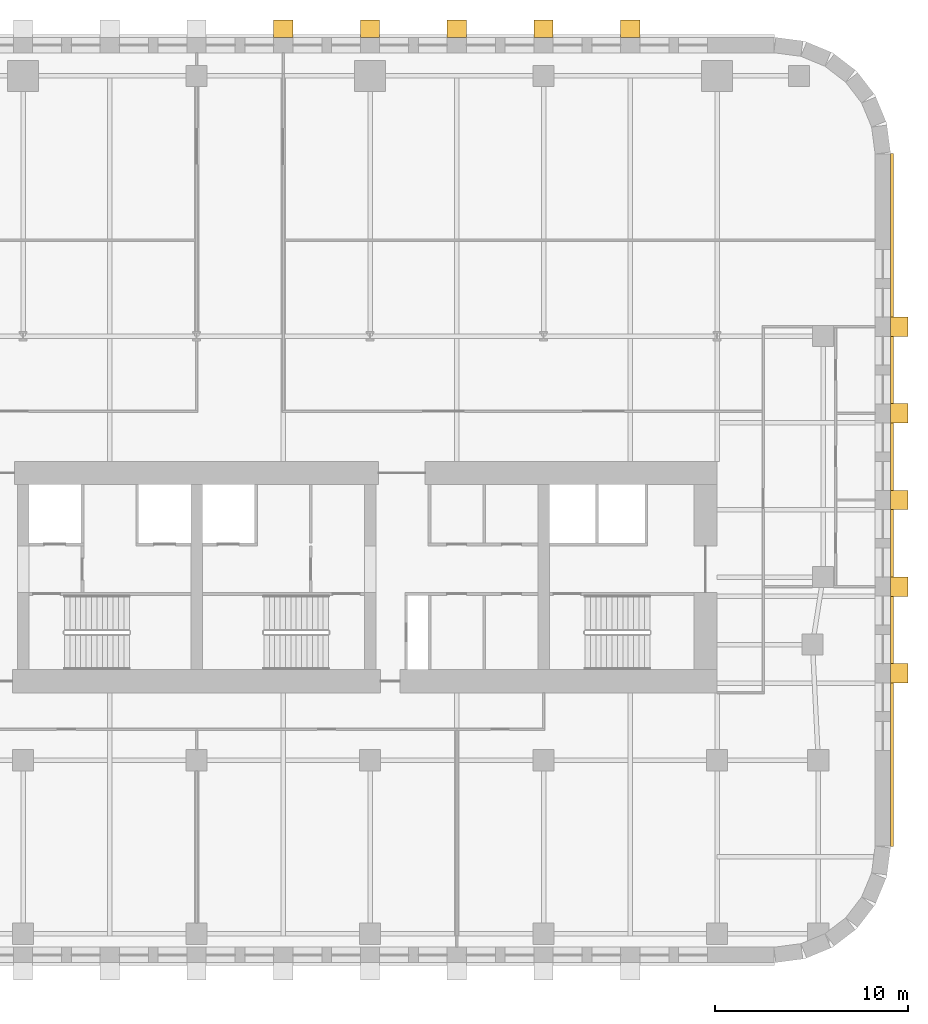
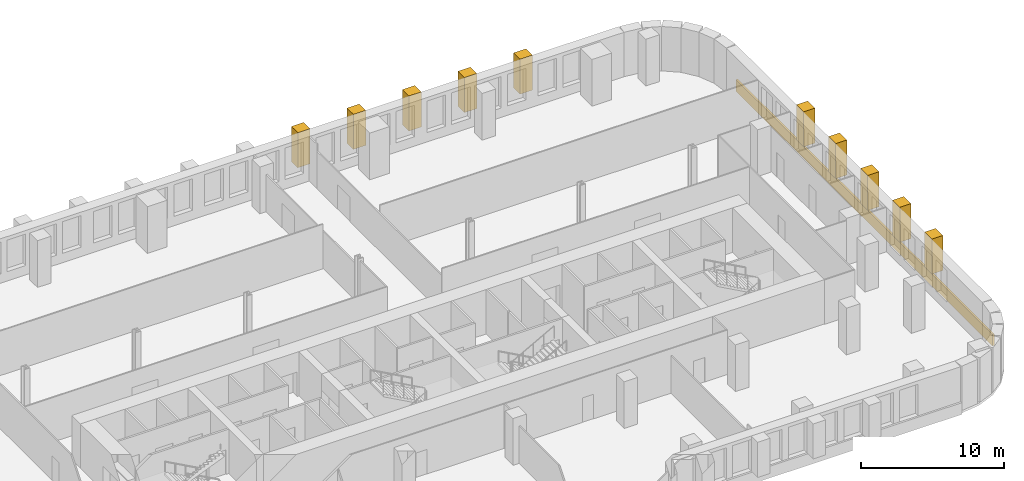
# One storey, part 11 of 11: 11 coverings.
"""IFC4 building model written with IfcOpenShell, lengths in metres."""

from ifc_helpers import new_model, si_unit, direction, frame, origin, place, context, subcontext, project, spatial, polyline, outline, extrude, material, layer, layer_set, type_object, element, save


model = new_model("IFC4")

# Units and contexts
model_context = context("Model", 3, precision=1e-05, world=origin(), true_north=direction((0.0, 1.0)))
body_context = subcontext(model_context, "Body", "Model", "MODEL_VIEW")
ifc_project = project(units=[si_unit("LENGTHUNIT", "METRE"), si_unit("AREAUNIT", "SQUARE_METRE"), si_unit("VOLUMEUNIT", "CUBIC_METRE"), si_unit("PLANEANGLEUNIT", "RADIAN"), si_unit("MASSUNIT", "GRAM", prefix="KILO")], contexts=[model_context])

# Site, building, storey
site_placement = place(None, origin())
site = spatial("IfcSite", under=ifc_project, at=site_placement, CompositionType="ELEMENT")
building_placement = place(site_placement, origin())
building = spatial("IfcBuilding", under=site, at=building_placement, Name="Zellij Exchange Tower", CompositionType="ELEMENT")
storey_placement = place(building_placement, frame((0.0, 0.0, 80.5)))
storey = spatial("IfcBuildingStorey", under=building, at=storey_placement, Name="L16", CompositionType="ELEMENT", Elevation=80.5)

# Coverings
ifc_material = material(Name="Limestone cladding", Category="masonry")
ifc_layer = layer(ifc_material, 0.14990234375)
ifc_layer_set = layer_set([ifc_layer], Name="Limestone cladding")
covering_type_1 = type_object("IfcCoveringType", Name="ENV-CV1 Stone spandrel band 150", PredefinedType="CLADDING", material=ifc_layer_set)
covering_1_placement = place(storey_placement, frame((0.0, 0.0, -0.199951171875)))
element("IfcCovering", 1, at=covering_1_placement, inside=storey, type_object=covering_type_1, Name="Stone spandrel band", PredefinedType="CLADDING", context=body_context, shape_type="SweptSolid", body=[
    extrude(outline(polyline([(36.0, -21.973876953125), (36.0, 13.973876953125), (36.14990234375, 13.983642578125), (36.14990234375, -21.983642578125), (36.0, -21.973876953125)])), origin(), (0.0, 0.0, 1.0), 1.0),
])
covering_type_2 = type_object("IfcCoveringType", Name="ENV-CV2 Stone pier 1000x900", PredefinedType="CLADDING", material=ifc_material)
covering_2_placement = place(storey_placement, frame((0.0, 0.0, 0.800048828125)))
element("IfcCovering", 2, at=covering_2_placement, inside=storey, type_object=covering_type_2, Name="Stone pier", PredefinedType="CLADDING", context=body_context, shape_type="SweptSolid", body=[
    extrude(outline(polyline([(36.0, -13.48681640625), (36.0, -12.48681640625), (36.89990234375, -12.48681640625), (36.89990234375, -13.48681640625), (36.0, -13.48681640625)])), origin(), (0.0, 0.0, 1.0), 3.0),
])
covering_3_placement = place(storey_placement, frame((0.0, 0.0, 0.800048828125)))
element("IfcCovering", 3, at=covering_3_placement, inside=storey, type_object=covering_type_2, Name="Stone pier", PredefinedType="CLADDING", context=body_context, shape_type="SweptSolid", body=[
    extrude(outline(polyline([(36.0, -8.993408203125), (36.0, -7.993408203125), (36.89990234375, -7.993408203125), (36.89990234375, -8.993408203125), (36.0, -8.993408203125)])), origin(), (0.0, 0.0, 1.0), 3.0),
])
covering_4_placement = place(storey_placement, frame((0.0, 0.0, 0.800048828125)))
element("IfcCovering", 4, at=covering_4_placement, inside=storey, type_object=covering_type_2, Name="Stone pier", PredefinedType="CLADDING", context=body_context, shape_type="SweptSolid", body=[
    extrude(outline(polyline([(36.0, -4.5), (36.0, -3.5), (36.89990234375, -3.5), (36.89990234375, -4.5), (36.0, -4.5)])), origin(), (0.0, 0.0, 1.0), 3.0),
])
covering_5_placement = place(storey_placement, frame((0.0, 0.0, 0.800048828125)))
element("IfcCovering", 5, at=covering_5_placement, inside=storey, type_object=covering_type_2, Name="Stone pier", PredefinedType="CLADDING", context=body_context, shape_type="SweptSolid", body=[
    extrude(outline(polyline([(36.0, -0.006591796875), (36.0, 0.993408203125), (36.89990234375, 0.993408203125), (36.89990234375, -0.006591796875), (36.0, -0.006591796875)])), origin(), (0.0, 0.0, 1.0), 3.0),
])
covering_6_placement = place(storey_placement, frame((0.0, 0.0, 0.800048828125)))
element("IfcCovering", 6, at=covering_6_placement, inside=storey, type_object=covering_type_2, Name="Stone pier", PredefinedType="CLADDING", context=body_context, shape_type="SweptSolid", body=[
    extrude(outline(polyline([(36.0, 4.48681640625), (36.0, 5.48681640625), (36.89990234375, 5.48681640625), (36.89990234375, 4.48681640625), (36.0, 4.48681640625)])), origin(), (0.0, 0.0, 1.0), 3.0),
])
covering_7_placement = place(storey_placement, frame((0.0, 0.0, 0.800048828125)))
element("IfcCovering", 7, at=covering_7_placement, inside=storey, type_object=covering_type_2, Name="Stone pier", PredefinedType="CLADDING", context=body_context, shape_type="SweptSolid", body=[
    extrude(outline(polyline([(23.0, 20.0), (22.0, 20.0), (22.0, 20.89990234375), (23.0, 20.89990234375), (23.0, 20.0)])), origin(), (0.0, 0.0, 1.0), 3.0),
])
covering_8_placement = place(storey_placement, frame((0.0, 0.0, 0.800048828125)))
element("IfcCovering", 8, at=covering_8_placement, inside=storey, type_object=covering_type_2, Name="Stone pier", PredefinedType="CLADDING", context=body_context, shape_type="SweptSolid", body=[
    extrude(outline(polyline([(18.5, 20.0), (17.5, 20.0), (17.5, 20.89990234375), (18.5, 20.89990234375), (18.5, 20.0)])), origin(), (0.0, 0.0, 1.0), 3.0),
])
covering_9_placement = place(storey_placement, frame((0.0, 0.0, 0.800048828125)))
element("IfcCovering", 9, at=covering_9_placement, inside=storey, type_object=covering_type_2, Name="Stone pier", PredefinedType="CLADDING", context=body_context, shape_type="SweptSolid", body=[
    extrude(outline(polyline([(14.0, 20.0), (13.0, 20.0), (13.0, 20.89990234375), (14.0, 20.89990234375), (14.0, 20.0)])), origin(), (0.0, 0.0, 1.0), 3.0),
])
covering_10_placement = place(storey_placement, frame((0.0, 0.0, 0.800048828125)))
element("IfcCovering", 10, at=covering_10_placement, inside=storey, type_object=covering_type_2, Name="Stone pier", PredefinedType="CLADDING", context=body_context, shape_type="SweptSolid", body=[
    extrude(outline(polyline([(9.5, 20.0), (8.5, 20.0), (8.5, 20.89990234375), (9.5, 20.89990234375), (9.5, 20.0)])), origin(), (0.0, 0.0, 1.0), 3.0),
])
covering_11_placement = place(storey_placement, frame((0.0, 0.0, 0.800048828125)))
element("IfcCovering", 11, at=covering_11_placement, inside=storey, type_object=covering_type_2, Name="Stone pier", PredefinedType="CLADDING", context=body_context, shape_type="SweptSolid", body=[
    extrude(outline(polyline([(5.0, 20.0), (4.0, 20.0), (4.0, 20.89990234375), (5.0, 20.89990234375), (5.0, 20.0)])), origin(), (0.0, 0.0, 1.0), 3.0),
])

save(model, "model.ifc")
